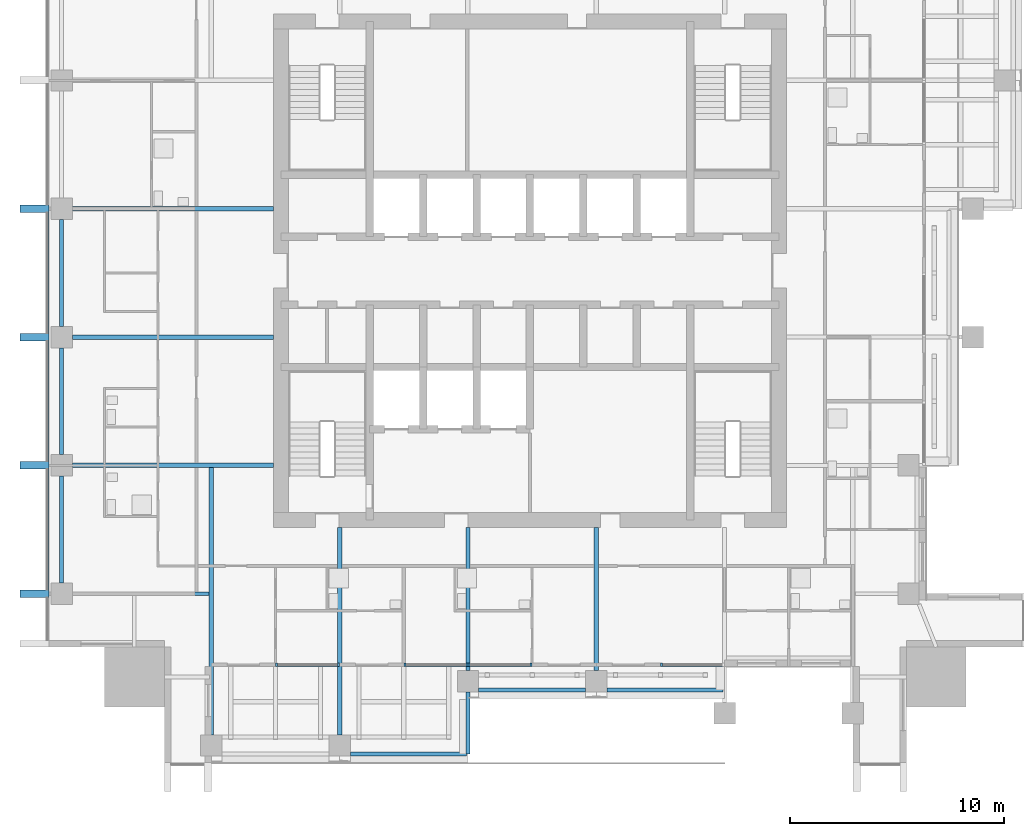
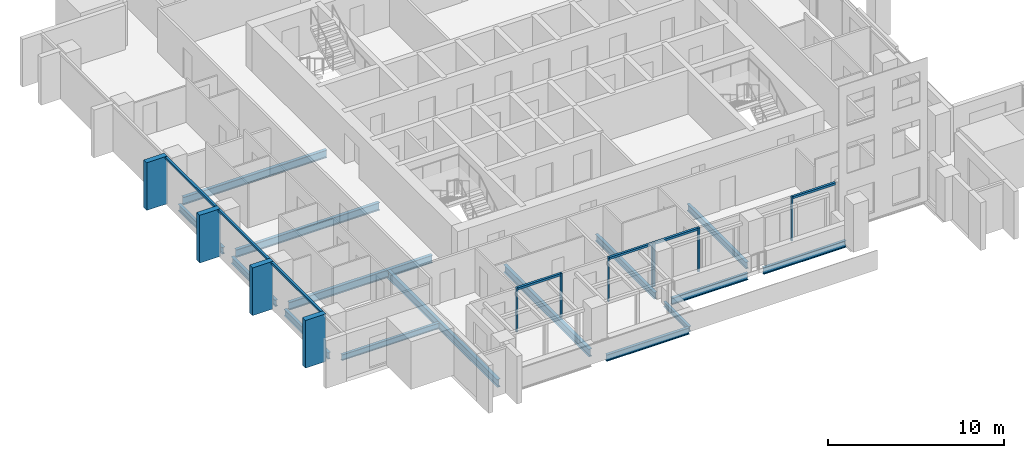
# One storey, part 2 of 16: 18 members, 15 beams, 5 elements without a shape of their own.
"""IFC4 building model written with IfcOpenShell, lengths in metres."""

from ifc_helpers import new_model, si_unit, direction, frame, origin, origin_2d, place, context, subcontext, project, spatial, rectangle, i_section, extrude, material, material_profile, profile_set, type_object, element, aggregate, save


model = new_model("IFC4")

# Units and contexts
model_context = context("Model", 3, precision=1e-05, world=origin(), true_north=direction((0.0, 1.0)))
body_context = subcontext(model_context, "Body", "Model", "MODEL_VIEW")
ifc_project = project(units=[si_unit("LENGTHUNIT", "METRE"), si_unit("AREAUNIT", "SQUARE_METRE"), si_unit("VOLUMEUNIT", "CUBIC_METRE"), si_unit("PLANEANGLEUNIT", "RADIAN"), si_unit("MASSUNIT", "GRAM", prefix="KILO")], contexts=[model_context])

# Site, building, storey
site_placement = place(None, origin())
site = spatial("IfcSite", under=ifc_project, at=site_placement, CompositionType="ELEMENT")
building_placement = place(site_placement, origin())
building = spatial("IfcBuilding", under=site, at=building_placement, Name="Amberfall Residences", CompositionType="ELEMENT")
storey_placement = place(building_placement, frame((0.0, 0.0, 164.800048828125)))
storey = spatial("IfcBuildingStorey", under=building, at=storey_placement, Name="L44", CompositionType="ELEMENT", Elevation=164.800048828125)

# Curtain wall, members
ifc_material_1 = material(Name="Bronze anodised aluminium and glass", Category="aluminium")
curtain_wall_type_1 = type_object("IfcCurtainWallType", Name="Curtain wall CW1 tower unit", PredefinedType="USERDEFINED", material=ifc_material_1)
curtain_wall_1_placement = place(storey_placement, origin())
curtain_wall_1 = element("IfcCurtainWall", 1, at=curtain_wall_1_placement, inside=storey, type_object=curtain_wall_type_1, Name="Curtain wall L44 W W1", ObjectType="UNITISED CURTAIN WALL", PredefinedType="USERDEFINED")
ifc_material_2 = material(Name="Bronze anodised aluminium", Category="aluminium")
ifc_material_profile_1 = material_profile(ifc_material_2, rectangle(XDim=0.14990234375, YDim=0.14990234375, at=origin_2d()), Name="CW1 transom 150 x 150 bronze")
ifc_profile_set_1 = profile_set([ifc_material_profile_1], Name="Bronze anodised aluminium")
member_type_1 = type_object("IfcMemberType", Name="CW1 transom 150 x 150 bronze", PredefinedType="USERDEFINED", material=ifc_profile_set_1)
member_1_placement = place(storey_placement, frame((51.925048828125, 48.22509765625, 2.974853515625), z_axis=(0.0, -1.0, 0.0), x_axis=(1.0, 0.0, 0.0)))
member_1 = element("IfcMember", 2, at=member_1_placement, type_object=member_type_1, Name="CW1 transom 4.1", ObjectType="TRANSOM", PredefinedType="USERDEFINED", context=body_context, shape_type="SweptSolid", body=[
    extrude(rectangle(XDim=0.14990234375, YDim=0.14990234375, at=origin_2d()), origin(), (0.0, 0.0, 1.0), 5.650146484375),
])
member_2_placement = place(storey_placement, frame((51.925048828125, 42.22509765625, 2.974853515625), z_axis=(0.0, -1.0, 0.0), x_axis=(1.0, 0.0, 0.0)))
member_2 = element("IfcMember", 3, at=member_2_placement, type_object=member_type_1, Name="CW1 transom 5.1", ObjectType="TRANSOM", PredefinedType="USERDEFINED", context=body_context, shape_type="SweptSolid", body=[
    extrude(rectangle(XDim=0.14990234375, YDim=0.14990234375, at=origin_2d()), origin(), (0.0, 0.0, 1.0), 5.650146484375),
])
member_3_placement = place(storey_placement, frame((51.925048828125, 36.22509765625, 2.974853515625), z_axis=(0.0, -1.0, 0.0), x_axis=(1.0, 0.0, 0.0)))
member_3 = element("IfcMember", 4, at=member_3_placement, type_object=member_type_1, Name="CW1 transom 6.1", ObjectType="TRANSOM", PredefinedType="USERDEFINED", context=body_context, shape_type="SweptSolid", body=[
    extrude(rectangle(XDim=0.14990234375, YDim=0.14990234375, at=origin_2d()), origin(), (0.0, 0.0, 1.0), 5.650146484375),
])

curtain_wall_type_2 = type_object("IfcCurtainWallType", Name="Curtain wall CW3 sky garden glazing", PredefinedType="USERDEFINED", material=ifc_material_1)
curtain_wall_2_placement = place(storey_placement, origin())
curtain_wall_2 = element("IfcCurtainWall", 5, at=curtain_wall_2_placement, inside=storey, type_object=curtain_wall_type_2, Name="Curtain wall L44 S S3", ObjectType="UNITISED CURTAIN WALL", PredefinedType="USERDEFINED")
ifc_material_profile_2 = material_profile(ifc_material_2, rectangle(XDim=0.14990234375, YDim=0.10009765625, at=origin_2d()), Name="CW3 mullion 100 x 150 bronze")
ifc_profile_set_2 = profile_set([ifc_material_profile_2], Name="Bronze anodised aluminium")
member_type_2 = type_object("IfcMemberType", Name="CW3 mullion 100 x 150 bronze", PredefinedType="MULLION", material=ifc_profile_set_2)
member_4_placement = place(storey_placement, frame((62.64990234375, 27.074951171875, 0.0), z_axis=(0.0, 0.0, 1.0), x_axis=(0.0, 1.0, 0.0)))
member_4 = element("IfcMember", 6, at=member_4_placement, type_object=member_type_2, Name="CW3 mullion 1", PredefinedType="MULLION", context=body_context, shape_type="SweptSolid", body=[
    extrude(rectangle(XDim=0.14990234375, YDim=0.10009765625, at=origin_2d()), origin(), (0.0, 0.0, 1.0), 3.050048828125),
])
member_5_placement = place(storey_placement, frame((65.550048828125, 27.074951171875, 0.0), z_axis=(0.0, 0.0, 1.0), x_axis=(0.0, 1.0, 0.0)))
member_5 = element("IfcMember", 7, at=member_5_placement, type_object=member_type_2, Name="CW3 mullion 2", PredefinedType="MULLION", context=body_context, shape_type="SweptSolid", body=[
    extrude(rectangle(XDim=0.14990234375, YDim=0.10009765625, at=origin_2d()), origin(), (0.0, 0.0, 1.0), 3.050048828125),
])

curtain_wall_3_placement = place(storey_placement, origin())
curtain_wall_3 = element("IfcCurtainWall", 8, at=curtain_wall_3_placement, inside=storey, type_object=curtain_wall_type_2, Name="Curtain wall L44 S S4", ObjectType="UNITISED CURTAIN WALL", PredefinedType="USERDEFINED")
member_6_placement = place(storey_placement, frame((68.64990234375, 27.074951171875, 0.0), z_axis=(0.0, 0.0, 1.0), x_axis=(0.0, 1.0, 0.0)))
member_6 = element("IfcMember", 9, at=member_6_placement, type_object=member_type_2, Name="CW3 mullion 1", PredefinedType="MULLION", context=body_context, shape_type="SweptSolid", body=[
    extrude(rectangle(XDim=0.14990234375, YDim=0.10009765625, at=origin_2d()), origin(), (0.0, 0.0, 1.0), 3.050048828125),
])
member_7_placement = place(storey_placement, frame((71.550048828125, 27.074951171875, 0.0), z_axis=(0.0, 0.0, 1.0), x_axis=(0.0, 1.0, 0.0)))
member_7 = element("IfcMember", 10, at=member_7_placement, type_object=member_type_2, Name="CW3 mullion 2", PredefinedType="MULLION", context=body_context, shape_type="SweptSolid", body=[
    extrude(rectangle(XDim=0.14990234375, YDim=0.10009765625, at=origin_2d()), origin(), (0.0, 0.0, 1.0), 3.050048828125),
])

curtain_wall_4_placement = place(storey_placement, origin())
curtain_wall_4 = element("IfcCurtainWall", 11, at=curtain_wall_4_placement, inside=storey, type_object=curtain_wall_type_2, Name="Curtain wall L44 S S5", ObjectType="UNITISED CURTAIN WALL", PredefinedType="USERDEFINED")
member_8_placement = place(storey_placement, frame((71.64990234375, 27.074951171875, 0.0), z_axis=(0.0, 0.0, 1.0), x_axis=(0.0, 1.0, 0.0)))
member_8 = element("IfcMember", 12, at=member_8_placement, type_object=member_type_2, Name="CW3 mullion 1", PredefinedType="MULLION", context=body_context, shape_type="SweptSolid", body=[
    extrude(rectangle(XDim=0.14990234375, YDim=0.10009765625, at=origin_2d()), origin(), (0.0, 0.0, 1.0), 3.050048828125),
])
member_9_placement = place(storey_placement, frame((74.550048828125, 27.074951171875, 0.0), z_axis=(0.0, 0.0, 1.0), x_axis=(0.0, 1.0, 0.0)))
member_9 = element("IfcMember", 13, at=member_9_placement, type_object=member_type_2, Name="CW3 mullion 2", PredefinedType="MULLION", context=body_context, shape_type="SweptSolid", body=[
    extrude(rectangle(XDim=0.14990234375, YDim=0.10009765625, at=origin_2d()), origin(), (0.0, 0.0, 1.0), 3.050048828125),
])

# Curtain wall, member
curtain_wall_5_placement = place(storey_placement, origin())
curtain_wall_5 = element("IfcCurtainWall", 14, at=curtain_wall_5_placement, inside=storey, type_object=curtain_wall_type_2, Name="Curtain wall L44 S S6", ObjectType="UNITISED CURTAIN WALL", PredefinedType="USERDEFINED")
member_10_placement = place(storey_placement, frame((80.64990234375, 27.074951171875, 0.0), z_axis=(0.0, 0.0, 1.0), x_axis=(0.0, 1.0, 0.0)))
member_10 = element("IfcMember", 15, at=member_10_placement, type_object=member_type_2, Name="CW3 mullion 1", PredefinedType="MULLION", context=body_context, shape_type="SweptSolid", body=[
    extrude(rectangle(XDim=0.14990234375, YDim=0.10009765625, at=origin_2d()), origin(), (0.0, 0.0, 1.0), 3.050048828125),
])

# Member
ifc_material_profile_3 = material_profile(ifc_material_2, rectangle(XDim=0.14990234375, YDim=0.14990234375, at=origin_2d()), Name="CW3 transom 150 x 150 bronze")
ifc_profile_set_3 = profile_set([ifc_material_profile_3], Name="Bronze anodised aluminium")
member_type_3 = type_object("IfcMemberType", Name="CW3 transom 150 x 150 bronze", PredefinedType="USERDEFINED", material=ifc_profile_set_3)
member_11_placement = place(storey_placement, frame((62.699951171875, 27.074951171875, 2.974853515625), z_axis=(1.0, 0.0, 0.0), x_axis=(0.0, 1.0, 0.0)))
member_11 = element("IfcMember", 16, at=member_11_placement, type_object=member_type_3, Name="CW3 transom 1.1", ObjectType="TRANSOM", PredefinedType="USERDEFINED", context=body_context, shape_type="SweptSolid", body=[
    extrude(rectangle(XDim=0.14990234375, YDim=0.14990234375, at=origin_2d()), origin(), (0.0, 0.0, 1.0), 2.800048828125),
])

aggregate(curtain_wall_2, [member_4, member_5, member_11])

member_12_placement = place(storey_placement, frame((68.699951171875, 27.074951171875, 2.974853515625), z_axis=(1.0, 0.0, 0.0), x_axis=(0.0, 1.0, 0.0)))
member_12 = element("IfcMember", 17, at=member_12_placement, type_object=member_type_3, Name="CW3 transom 1.1", ObjectType="TRANSOM", PredefinedType="USERDEFINED", context=body_context, shape_type="SweptSolid", body=[
    extrude(rectangle(XDim=0.14990234375, YDim=0.14990234375, at=origin_2d()), origin(), (0.0, 0.0, 1.0), 2.800048828125),
])

aggregate(curtain_wall_3, [member_6, member_7, member_12])

member_13_placement = place(storey_placement, frame((71.699951171875, 27.074951171875, 2.974853515625), z_axis=(1.0, 0.0, 0.0), x_axis=(0.0, 1.0, 0.0)))
member_13 = element("IfcMember", 18, at=member_13_placement, type_object=member_type_3, Name="CW3 transom 1.1", ObjectType="TRANSOM", PredefinedType="USERDEFINED", context=body_context, shape_type="SweptSolid", body=[
    extrude(rectangle(XDim=0.14990234375, YDim=0.14990234375, at=origin_2d()), origin(), (0.0, 0.0, 1.0), 2.800048828125),
])

aggregate(curtain_wall_4, [member_8, member_9, member_13])

member_14_placement = place(storey_placement, frame((80.699951171875, 27.074951171875, 2.974853515625), z_axis=(1.0, 0.0, 0.0), x_axis=(0.0, 1.0, 0.0)))
member_14 = element("IfcMember", 19, at=member_14_placement, type_object=member_type_3, Name="CW3 transom 1.1", ObjectType="TRANSOM", PredefinedType="USERDEFINED", context=body_context, shape_type="SweptSolid", body=[
    extrude(rectangle(XDim=0.14990234375, YDim=0.14990234375, at=origin_2d()), origin(), (0.0, 0.0, 1.0), 2.800048828125),
])

aggregate(curtain_wall_5, [member_10, member_14])

# Beams
ifc_material_3 = material(Name="Steel S355", Category="steel")
ifc_material_profile_4 = material_profile(ifc_material_3, i_section(OverallWidth=0.171142578125, OverallDepth=0.351318359375, WebThickness=0.007080078125, FlangeThickness=0.009765625, FilletRadius=0.01025390625, at=origin_2d()), Name="UB 356x171x45")
ifc_profile_set_4 = profile_set([ifc_material_profile_4], Name="Steel S355")
beam_type_1 = type_object("IfcBeamType", Name="Cantilever girder UB 356x171x45", PredefinedType="BEAM", material=ifc_profile_set_4)
beam_1_placement = place(storey_placement, frame((71.60009765625, 25.800048828125, -0.42578125), z_axis=(0.0, -1.0, 0.0), x_axis=(1.0, 0.0, 0.0)))
element("IfcBeam", 20, at=beam_1_placement, inside=storey, type_object=beam_type_1, Name="Cantilever girder B8 L44 06", PredefinedType="BEAM", context=body_context, shape_type="SweptSolid", body=[
    extrude(i_section(OverallWidth=0.171142578125, OverallDepth=0.351318359375, WebThickness=0.007080078125, FlangeThickness=0.009765625, FilletRadius=0.01025390625, at=origin_2d()), origin(), (0.0, 0.0, 1.0), 2.900146484375),
])
ifc_material_profile_5 = material_profile(ifc_material_3, i_section(OverallWidth=0.18994140625, OverallDepth=0.453369140625, WebThickness=0.008544921875, FlangeThickness=0.0126953125, FilletRadius=0.01025390625, at=origin_2d()), Name="UB 457x191x67")
ifc_profile_set_5 = profile_set([ifc_material_profile_5], Name="Steel S355")
beam_type_2 = type_object("IfcBeamType", Name="Edge beam UB 457x191x67", PredefinedType="SPANDREL", material=ifc_profile_set_5)
beam_2_placement = place(storey_placement, frame((66.10009765625, 22.89990234375, -0.476806640625), z_axis=(1.0, 0.0, 0.0), x_axis=(0.0, 1.0, 0.0)))
element("IfcBeam", 21, at=beam_2_placement, inside=storey, type_object=beam_type_2, Name="Edge beam B1 L44 02", PredefinedType="SPANDREL", context=body_context, shape_type="SweptSolid", body=[
    extrude(i_section(OverallWidth=0.18994140625, OverallDepth=0.453369140625, WebThickness=0.008544921875, FlangeThickness=0.0126953125, FilletRadius=0.01025390625, at=origin_2d()), origin(), (0.0, 0.0, 1.0), 5.419921875),
])
beam_3_placement = place(storey_placement, frame((72.10009765625, 25.89990234375, -0.476806640625), z_axis=(1.0, 0.0, 0.0), x_axis=(0.0, 1.0, 0.0)))
element("IfcBeam", 22, at=beam_3_placement, inside=storey, type_object=beam_type_2, Name="Edge beam B1 L44 03", PredefinedType="SPANDREL", context=body_context, shape_type="SweptSolid", body=[
    extrude(i_section(OverallWidth=0.18994140625, OverallDepth=0.453369140625, WebThickness=0.008544921875, FlangeThickness=0.0126953125, FilletRadius=0.01025390625, at=origin_2d()), origin(), (0.0, 0.0, 1.0), 5.0),
])
beam_4_placement = place(storey_placement, frame((78.10009765625, 25.89990234375, -0.476806640625), z_axis=(1.0, 0.0, 0.0), x_axis=(0.0, 1.0, 0.0)))
element("IfcBeam", 23, at=beam_4_placement, inside=storey, type_object=beam_type_2, Name="Edge beam B1 L44 04", PredefinedType="SPANDREL", context=body_context, shape_type="SweptSolid", body=[
    extrude(i_section(OverallWidth=0.18994140625, OverallDepth=0.453369140625, WebThickness=0.008544921875, FlangeThickness=0.0126953125, FilletRadius=0.01025390625, at=origin_2d()), origin(), (0.0, 0.0, 1.0), 5.419921875),
])
for number, where, z_axis, x_axis, name in (
    (24, (52.60009765625, 30.89990234375, -0.476806640625), (0.0, 1.0, 0.0), (-1.0, 0.0, 0.0), "Edge beam B1 L44 37"),
    (25, (52.60009765625, 36.89990234375, -0.476806640625), (0.0, 1.0, 0.0), (-1.0, 0.0, 0.0), "Edge beam B1 L44 38"),
    (26, (52.60009765625, 42.89990234375, -0.476806640625), (0.0, 1.0, 0.0), (-1.0, 0.0, 0.0), "Edge beam B1 L44 39"),
):
    element("IfcBeam", number, at=place(storey_placement, frame(where, z_axis=z_axis, x_axis=x_axis)), inside=storey, type_object=beam_type_2, Name=name, PredefinedType="SPANDREL", context=body_context, shape_type="SweptSolid", body=[
        extrude(i_section(OverallWidth=0.18994140625, OverallDepth=0.453369140625, WebThickness=0.008544921875, FlangeThickness=0.0126953125, FilletRadius=0.01025390625, at=origin_2d()), origin(), (0.0, 0.0, 1.0), 5.0),
    ])

# Member
ifc_material_profile_6 = material_profile(ifc_material_2, rectangle(XDim=1.35009765625, YDim=0.35009765625, at=origin_2d()), Name="Fin 350 x 1350 bronze")
ifc_profile_set_6 = profile_set([ifc_material_profile_6], Name="Bronze anodised aluminium")
member_type_4 = type_object("IfcMemberType", Name="Fin 350 x 1350 bronze", PredefinedType="MULLION", material=ifc_profile_set_6)
member_15_placement = place(storey_placement, frame((51.324951171875, 48.39990234375, -0.25), z_axis=(0.0, 0.0, 1.0), x_axis=(1.0, 0.0, 0.0)))
member_15 = element("IfcMember", 27, at=member_15_placement, type_object=member_type_4, Name="CW FIN 4", PredefinedType="MULLION", context=body_context, shape_type="SweptSolid", body=[
    extrude(rectangle(XDim=1.35009765625, YDim=0.35009765625, at=origin_2d()), origin(), (0.0, 0.0, 1.0), 3.300048828125),
])

member_16_placement = place(storey_placement, frame((51.324951171875, 42.39990234375, -0.25), z_axis=(0.0, 0.0, 1.0), x_axis=(1.0, 0.0, 0.0)))
member_16 = element("IfcMember", 28, at=member_16_placement, type_object=member_type_4, Name="CW FIN 5", PredefinedType="MULLION", context=body_context, shape_type="SweptSolid", body=[
    extrude(rectangle(XDim=1.35009765625, YDim=0.35009765625, at=origin_2d()), origin(), (0.0, 0.0, 1.0), 3.300048828125),
])

member_17_placement = place(storey_placement, frame((51.324951171875, 36.39990234375, -0.25), z_axis=(0.0, 0.0, 1.0), x_axis=(1.0, 0.0, 0.0)))
member_17 = element("IfcMember", 29, at=member_17_placement, type_object=member_type_4, Name="CW FIN 6", PredefinedType="MULLION", context=body_context, shape_type="SweptSolid", body=[
    extrude(rectangle(XDim=1.35009765625, YDim=0.35009765625, at=origin_2d()), origin(), (0.0, 0.0, 1.0), 3.300048828125),
])

member_18_placement = place(storey_placement, frame((51.324951171875, 30.39990234375, -0.25), z_axis=(0.0, 0.0, 1.0), x_axis=(1.0, 0.0, 0.0)))
member_18 = element("IfcMember", 30, at=member_18_placement, type_object=member_type_4, Name="CW FIN 7", PredefinedType="MULLION", context=body_context, shape_type="SweptSolid", body=[
    extrude(rectangle(XDim=1.35009765625, YDim=0.35009765625, at=origin_2d()), origin(), (0.0, 0.0, 1.0), 3.300048828125),
])

aggregate(curtain_wall_1, [member_15, member_16, member_17, member_18, member_1, member_2, member_3])

# Beams
ifc_material_profile_7 = material_profile(ifc_material_3, i_section(OverallWidth=0.177734375, OverallDepth=0.402587890625, WebThickness=0.0078125, FlangeThickness=0.010986328125, FilletRadius=0.01025390625, at=origin_2d()), Name="UB 406x178x54")
ifc_profile_set_7 = profile_set([ifc_material_profile_7], Name="Steel S355")
beam_type_3 = type_object("IfcBeamType", Name="Floor girder UB 406x178x54", PredefinedType="BEAM", material=ifc_profile_set_7)
beam_5_placement = place(storey_placement, frame((53.10009765625, 30.39990234375, -0.451416015625), z_axis=(1.0, 0.0, 0.0), x_axis=(0.0, 1.0, 0.0)))
element("IfcBeam", 31, at=beam_5_placement, inside=storey, type_object=beam_type_3, Name="Floor girder B4 L44 42", PredefinedType="BEAM", context=body_context, shape_type="SweptSolid", body=[
    extrude(i_section(OverallWidth=0.177734375, OverallDepth=0.402587890625, WebThickness=0.0078125, FlangeThickness=0.010986328125, FilletRadius=0.01025390625, at=origin_2d()), origin(), (0.0, 0.0, 1.0), 6.3798828125),
])
ifc_material_profile_8 = material_profile(ifc_material_3, i_section(OverallWidth=0.19140625, OverallDepth=0.4599609375, WebThickness=0.010009765625, FlangeThickness=0.01611328125, FilletRadius=0.01025390625, at=origin_2d()), Name="UB 457x191x82")
ifc_profile_set_8 = profile_set([ifc_material_profile_8], Name="Steel S355")
beam_type_4 = type_object("IfcBeamType", Name="Floor girder UB 457x191x82", PredefinedType="BEAM", material=ifc_profile_set_8)
for number, where, z_axis, x_axis, name in (
    (32, (71.60009765625, 26.800048828125, -0.47998046875), (0.0, 1.0, 0.0), (-1.0, 0.0, 0.0), "Floor girder B10 L44 09"),
    (33, (77.60009765625, 26.800048828125, -0.47998046875), (0.0, 1.0, 0.0), (-1.0, 0.0, 0.0), "Floor girder B10 L44 10"),
):
    element("IfcBeam", number, at=place(storey_placement, frame(where, z_axis=z_axis, x_axis=x_axis)), inside=storey, type_object=beam_type_4, Name=name, PredefinedType="BEAM", context=body_context, shape_type="SweptSolid", body=[
        extrude(i_section(OverallWidth=0.19140625, OverallDepth=0.4599609375, WebThickness=0.010009765625, FlangeThickness=0.01611328125, FilletRadius=0.01025390625, at=origin_2d()), origin(), (0.0, 0.0, 1.0), 6.699951171875),
    ])
ifc_material_profile_9 = material_profile(ifc_material_3, i_section(OverallWidth=0.210693359375, OverallDepth=0.53955078125, WebThickness=0.01171875, FlangeThickness=0.018798828125, FilletRadius=0.0126953125, at=origin_2d()), Name="UB 533x210x109")
ifc_profile_set_9 = profile_set([ifc_material_profile_9], Name="Steel S355")
beam_type_5 = type_object("IfcBeamType", Name="Floor girder UB 533x210x109", PredefinedType="BEAM", material=ifc_profile_set_9)
beam_6_placement = place(storey_placement, frame((59.60009765625, 23.800048828125, -0.519775390625), z_axis=(0.0, 1.0, 0.0), x_axis=(-1.0, 0.0, 0.0)))
element("IfcBeam", 34, at=beam_6_placement, inside=storey, type_object=beam_type_5, Name="Floor girder B2 L44 07", PredefinedType="BEAM", context=body_context, shape_type="SweptSolid", body=[
    extrude(i_section(OverallWidth=0.210693359375, OverallDepth=0.53955078125, WebThickness=0.01171875, FlangeThickness=0.018798828125, FilletRadius=0.0126953125, at=origin_2d()), origin(), (0.0, 0.0, 1.0), 12.500244140625),
])
ifc_material_profile_10 = material_profile(ifc_material_3, i_section(OverallWidth=0.209228515625, OverallDepth=0.533203125, WebThickness=0.010009765625, FlangeThickness=0.015625, FilletRadius=0.0126953125, at=origin_2d()), Name="UB 533x210x92")
ifc_profile_set_10 = profile_set([ifc_material_profile_10], Name="Steel S355")
beam_type_6 = type_object("IfcBeamType", Name="Floor girder UB 533x210x92", PredefinedType="BEAM", material=ifc_profile_set_10)
beam_7_placement = place(storey_placement, frame((65.60009765625, 23.800048828125, -0.5166015625), z_axis=(0.0, 1.0, 0.0), x_axis=(-1.0, 0.0, 0.0)))
element("IfcBeam", 35, at=beam_7_placement, inside=storey, type_object=beam_type_6, Name="Floor girder B3 L44 08", PredefinedType="BEAM", context=body_context, shape_type="SweptSolid", body=[
    extrude(i_section(OverallWidth=0.209228515625, OverallDepth=0.533203125, WebThickness=0.010009765625, FlangeThickness=0.015625, FilletRadius=0.0126953125, at=origin_2d()), origin(), (0.0, 0.0, 1.0), 9.699951171875),
])
for number, where, z_axis, x_axis, name in (
    (36, (53.10009765625, 36.39990234375, -0.5166015625), (1.0, 0.0, 0.0), (0.0, 1.0, 0.0), "Floor girder B3 L44 43"),
    (37, (53.10009765625, 42.39990234375, -0.5166015625), (1.0, 0.0, 0.0), (0.0, 1.0, 0.0), "Floor girder B3 L44 44"),
    (38, (53.10009765625, 48.39990234375, -0.5166015625), (1.0, 0.0, 0.0), (0.0, 1.0, 0.0), "Floor girder B3 L44 45"),
):
    element("IfcBeam", number, at=place(storey_placement, frame(where, z_axis=z_axis, x_axis=x_axis)), inside=storey, type_object=beam_type_6, Name=name, PredefinedType="BEAM", context=body_context, shape_type="SweptSolid", body=[
        extrude(i_section(OverallWidth=0.209228515625, OverallDepth=0.533203125, WebThickness=0.010009765625, FlangeThickness=0.015625, FilletRadius=0.0126953125, at=origin_2d()), origin(), (0.0, 0.0, 1.0), 9.39990234375),
    ])

save(model, "model.ifc")
